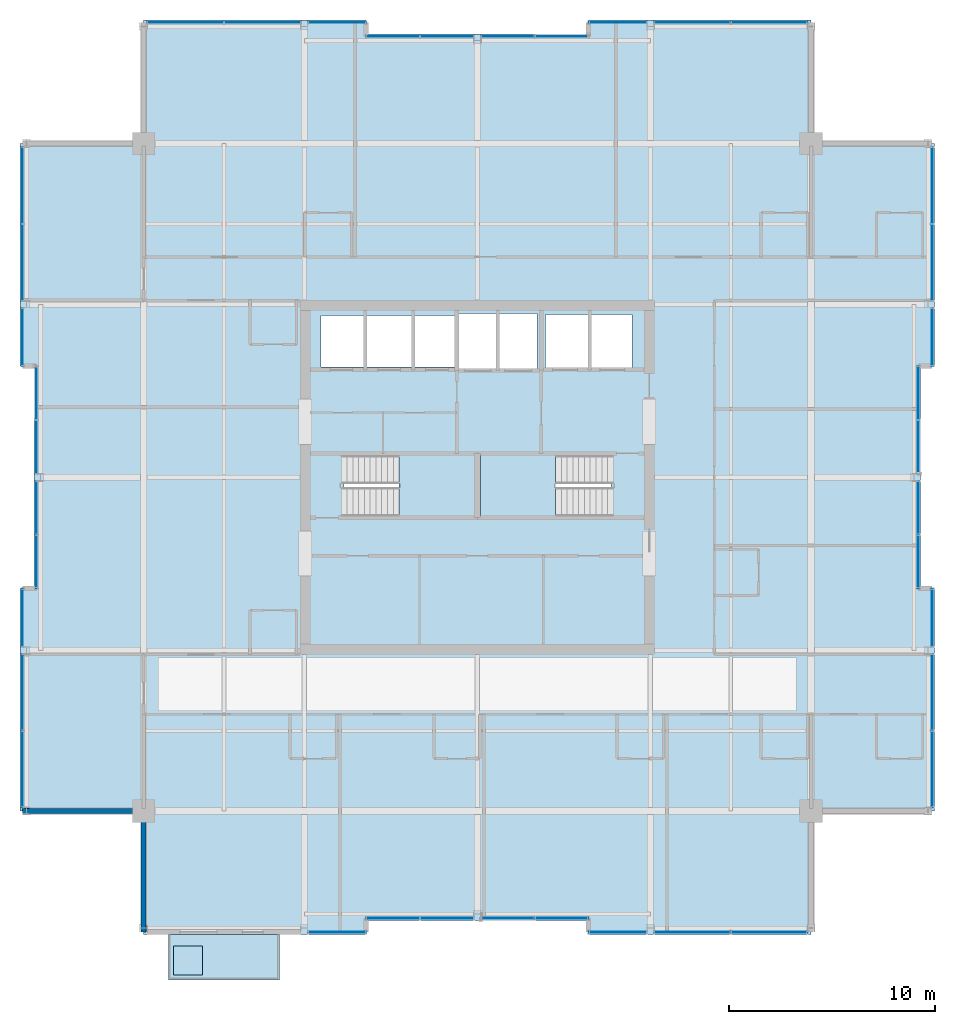
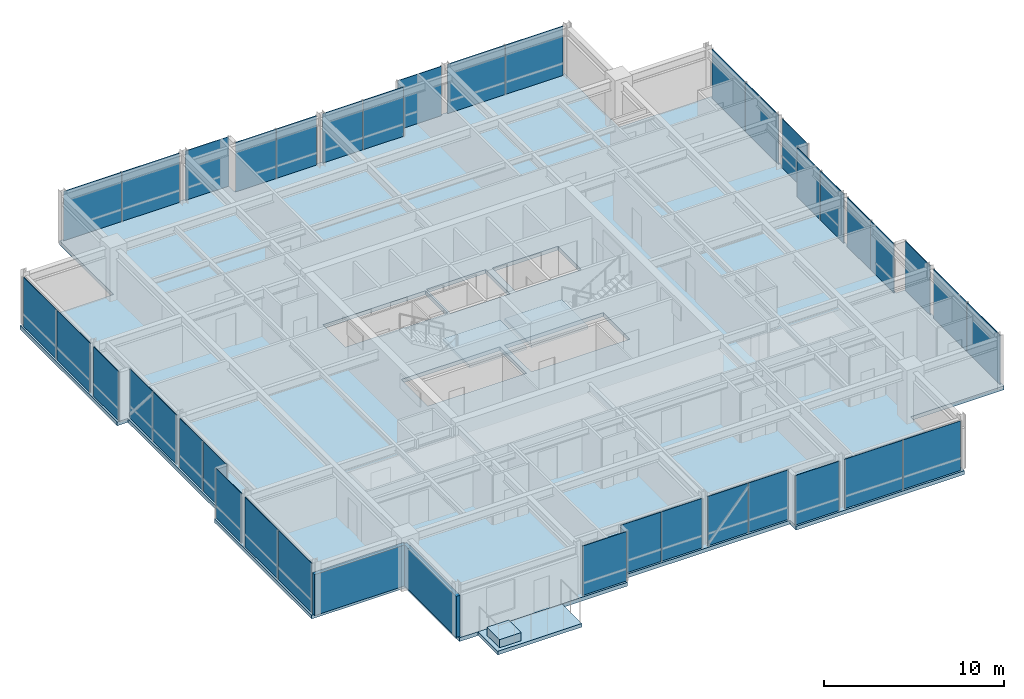
# One storey, part 27 of 34: 38 plates, 5 slabs, 2 walls, 25 elements without a shape of their own.
"""IFC4 building model written with IfcOpenShell, lengths in metres."""

from ifc_helpers import new_model, si_unit, direction, frame, frame_2d, origin, origin_2d, place, context, subcontext, project, spatial, polyline, rectangle, outline, extrude, material, layer, layer_set, type_object, element, aggregate, save


model = new_model("IFC4")

# Units and contexts
model_context = context("Model", 3, precision=1e-05, world=origin(), true_north=direction((0.0, 1.0)))
body_context = subcontext(model_context, "Body", "Model", "MODEL_VIEW")
ifc_project = project(units=[si_unit("LENGTHUNIT", "METRE"), si_unit("AREAUNIT", "SQUARE_METRE"), si_unit("VOLUMEUNIT", "CUBIC_METRE"), si_unit("PLANEANGLEUNIT", "RADIAN"), si_unit("MASSUNIT", "GRAM", prefix="KILO")], contexts=[model_context])

# Site, building, storey
site_placement = place(None, origin())
site = spatial("IfcSite", under=ifc_project, at=site_placement, CompositionType="ELEMENT")
building_placement = place(site_placement, origin())
building = spatial("IfcBuilding", under=site, at=building_placement, Name="Drelvath Grand Hotel", CompositionType="ELEMENT")
storey_placement = place(building_placement, frame((0.0, 0.0, 286.89990234375)))
storey = spatial("IfcBuildingStorey", under=building, at=storey_placement, Name="L75", CompositionType="ELEMENT", Elevation=286.89990234375)

# Slabs
ifc_material_1 = material(Name="Concrete f'c 40 MPa", Category="concrete")
ifc_layer_1 = layer(ifc_material_1, 0.239990234375)
ifc_layer_set_1 = layer_set([ifc_layer_1], Name="Concrete f'c 40 MPa")
slab_type_1 = type_object("IfcSlabType", Name="Cantilevered Tree Balcony Slab 240", PredefinedType="FLOOR", material=ifc_layer_set_1)
slab_1_placement = place(storey_placement, frame((0.0, 0.0, -0.239990234375)))
element("IfcSlab", 1, at=slab_1_placement, inside=storey, type_object=slab_type_1, Name="L75 Cantilevered Tree Balcony Slab 1", PredefinedType="FLOOR", context=body_context, shape_type="SweptSolid", body=[
    extrude(outline(polyline([(-15.0, 2.60009765625), (-9.60009765625, 2.60009765625), (-9.60009765625, 4.800048828125), (-15.0, 4.800048828125), (-15.0, 2.60009765625)])), origin(), (0.0, 0.0, 1.0), 0.239990234375),
])
ifc_layer_2 = layer(ifc_material_1, 0.260009765625)
ifc_layer_set_2 = layer_set([ifc_layer_2], Name="Concrete f'c 40 MPa")
slab_type_2 = type_object("IfcSlabType", Name="Composite RC Floor Slab 260", PredefinedType="FLOOR", material=ifc_layer_set_2)
slab_2_placement = place(storey_placement, frame((0.0, 0.0, -0.260009765625)))
element("IfcSlab", 2, at=slab_2_placement, inside=storey, type_object=slab_type_2, Name="L75 Structural Floor Slab", PredefinedType="FLOOR", context=body_context, shape_type="SweptSolid", body=[
    extrude(outline(polyline([(-16.199951171875, 4.800048828125), (-5.39990234375, 4.800048828125), (-5.39990234375, 5.47998046875), (5.39990234375, 5.47998046875), (5.39990234375, 4.800048828125), (16.199951171875, 4.800048828125), (16.199951171875, 10.800048828125), (22.199951171875, 10.800048828125), (22.199951171875, 21.60009765625), (21.52001953125, 21.60009765625), (21.52001953125, 32.39990234375), (22.199951171875, 32.39990234375), (22.199951171875, 43.199951171875), (16.199951171875, 43.199951171875), (16.199951171875, 49.199951171875), (5.39990234375, 49.199951171875), (5.39990234375, 48.52001953125), (-5.39990234375, 48.52001953125), (-5.39990234375, 49.199951171875), (-16.199951171875, 49.199951171875), (-16.199951171875, 43.199951171875), (-22.199951171875, 43.199951171875), (-22.199951171875, 32.39990234375), (-21.52001953125, 32.39990234375), (-21.52001953125, 21.60009765625), (-22.199951171875, 21.60009765625), (-22.199951171875, 10.800048828125), (-16.199951171875, 10.800048828125), (-16.199951171875, 4.800048828125)]), holes=[polyline([(-6.47998046875, 25.1201171875), (-6.47998046875, 28.080078125), (-0.14990234375, 28.080078125), (-0.14990234375, 25.1201171875), (-6.47998046875, 25.1201171875)]), polyline([(0.14990234375, 25.1201171875), (0.14990234375, 28.080078125), (6.47998046875, 28.080078125), (6.47998046875, 25.1201171875), (0.14990234375, 25.1201171875)]), polyline([(-7.60009765625, 32.35009765625), (-7.60009765625, 34.85009765625), (-1.02001953125, 34.85009765625), (-1.02001953125, 32.35009765625), (-7.60009765625, 32.35009765625)]), polyline([(-0.89990234375, 32.25), (-0.89990234375, 34.949951171875), (2.89990234375, 34.949951171875), (2.89990234375, 32.25), (-0.89990234375, 32.25)]), polyline([(3.300048828125, 32.300048828125), (3.300048828125, 34.89990234375), (7.5, 34.89990234375), (7.5, 32.300048828125), (3.300048828125, 32.300048828125)])]), origin(), (0.0, 0.0, 1.0), 0.260009765625),
])

# Stair, slab
ifc_material_2 = material(Name="Concrete C40/50", Category="concrete")
stair_type = type_object("IfcStairType", Name="Dogleg Exit Stair W1400-R165.9", PredefinedType="HALF_TURN_STAIR", material=ifc_material_2)
stair_1_placement = place(storey_placement, origin())
stair_1 = element("IfcStair", 3, at=stair_1_placement, inside=storey, type_object=stair_type, Name="L75 Core Exit Stair ST-1", PredefinedType="HALF_TURN_STAIR")
ifc_layer_3 = layer(ifc_material_2, 0.199951171875)
ifc_layer_set_3 = layer_set([ifc_layer_3], Name="Concrete C40/50")
slab_type_3 = type_object("IfcSlabType", Name="Concrete Stair Landing Slab 200", PredefinedType="LANDING", material=ifc_layer_set_3)
slab_3_placement = place(storey_placement, frame((0.0, 0.0, 1.625)))
slab_3 = element("IfcSlab", 4, at=slab_3_placement, type_object=slab_type_3, Name="ST-1 landing 1", PredefinedType="LANDING", context=body_context, shape_type="SweptSolid", body=[
    extrude(outline(polyline([(-3.800048828125, 25.1201171875), (-0.14990234375, 25.1201171875), (-0.14990234375, 28.080078125), (-3.800048828125, 28.080078125), (-3.800048828125, 25.1201171875)])), origin(), (0.0, 0.0, 1.0), 0.2001953125),
])
aggregate(stair_1, [slab_3])

stair_2_placement = place(storey_placement, origin())
stair_2 = element("IfcStair", 5, at=stair_2_placement, inside=storey, type_object=stair_type, Name="L75 Core Exit Stair ST-2", PredefinedType="HALF_TURN_STAIR")
slab_4_placement = place(storey_placement, frame((0.0, 0.0, 1.625)))
slab_4 = element("IfcSlab", 6, at=slab_4_placement, type_object=slab_type_3, Name="ST-2 landing 1", PredefinedType="LANDING", context=body_context, shape_type="SweptSolid", body=[
    extrude(outline(polyline([(3.800048828125, 28.080078125), (0.14990234375, 28.080078125), (0.14990234375, 25.1201171875), (3.800048828125, 25.1201171875), (3.800048828125, 28.080078125)])), origin(), (0.0, 0.0, 1.0), 0.2001953125),
])
aggregate(stair_2, [slab_4])

# Curtain wall, plates
ifc_material_3 = material(Name="Platinum-Mist Anodised Aluminium Frame", Category="aluminium")
ifc_layer_4 = layer(ifc_material_3, 0.199951171875)
ifc_layer_set_4 = layer_set([ifc_layer_4], Name="Platinum-Mist Anodised Aluminium Frame")
curtain_wall_type = type_object("IfcCurtainWallType", Name="Stick Curtain Wall CW-05 Platinum Mist High-Rise", PredefinedType="NOTDEFINED", material=ifc_layer_set_4)
curtain_wall_1_placement = place(storey_placement, origin())
curtain_wall_1 = element("IfcCurtainWall", 7, at=curtain_wall_1_placement, inside=storey, type_object=curtain_wall_type, Name="L75 CW-05 Curtain Wall CW05-L75-WS1", PredefinedType="NOTDEFINED")
ifc_material_4 = material(Name="Low-E Triple Silver High-Altitude Glass", Category="glass")
ifc_layer_5 = layer(ifc_material_4, 0.035888671875)
ifc_layer_set_5 = layer_set([ifc_layer_5], Name="Low-E Triple Silver High-Altitude Glass")
plate_type = type_object("IfcPlateType", Name="Curtain Wall Vision Panel CW-05 36mm", PredefinedType="CURTAIN_PANEL", material=ifc_layer_set_5)
plate_1_placement = place(storey_placement, frame((-22.080078125, 12.835205078125, 0.02001953125), z_axis=(0.0, 0.0, 1.0), x_axis=(0.0, 1.0, 0.0)))
plate_1 = element("IfcPlate", 8, at=plate_1_placement, type_object=plate_type, Name="CW05-L75-WS1 Glazed Panel 1", PredefinedType="CURTAIN_PANEL", context=body_context, shape_type="SweptSolid", body=[
    extrude(rectangle(XDim=3.68994140625, YDim=0.035888671875, at=origin_2d()), origin(), (0.0, 0.0, 1.0), 3.35009765625),
])
plate_2_placement = place(storey_placement, frame((-22.080078125, 16.56494140625, 0.02001953125), z_axis=(0.0, 0.0, 1.0), x_axis=(0.0, 1.0, 0.0)))
plate_2 = element("IfcPlate", 9, at=plate_2_placement, type_object=plate_type, Name="CW05-L75-WS1 Glazed Panel 2", PredefinedType="CURTAIN_PANEL", context=body_context, shape_type="SweptSolid", body=[
    extrude(rectangle(XDim=3.68994140625, YDim=0.035888671875, at=origin_2d()), origin(), (0.0, 0.0, 1.0), 3.35009765625),
])
aggregate(curtain_wall_1, [plate_1, plate_2])

# Curtain wall, plate
curtain_wall_2_placement = place(storey_placement, origin())
curtain_wall_2 = element("IfcCurtainWall", 10, at=curtain_wall_2_placement, inside=storey, type_object=curtain_wall_type, Name="L75 CW-05 Curtain Wall CW05-L75-WS2", PredefinedType="NOTDEFINED")
plate_3_placement = place(storey_placement, frame((-22.080078125, 20.18505859375, 0.02001953125), z_axis=(0.0, 0.0, 1.0), x_axis=(0.0, 1.0, 0.0)))
plate_3 = element("IfcPlate", 11, at=plate_3_placement, type_object=plate_type, Name="CW05-L75-WS2 Glazed Panel 1", PredefinedType="CURTAIN_PANEL", context=body_context, shape_type="SweptSolid", body=[
    extrude(rectangle(XDim=2.789794921875, YDim=0.035888671875, at=origin_2d()), origin(), (0.0, 0.0, 1.0), 3.35009765625),
])
aggregate(curtain_wall_2, [plate_3])

# Curtain wall, plates
curtain_wall_3_placement = place(storey_placement, origin())
curtain_wall_3 = element("IfcCurtainWall", 12, at=curtain_wall_3_placement, inside=storey, type_object=curtain_wall_type, Name="L75 CW-05 Curtain Wall CW05-L75-WM1", PredefinedType="NOTDEFINED")
plate_4_placement = place(storey_placement, frame((-21.39990234375, 22.907470703125, 0.02001953125), z_axis=(0.0, 0.0, 1.0), x_axis=(0.0, 1.0, 0.0)))
plate_4 = element("IfcPlate", 13, at=plate_4_placement, type_object=plate_type, Name="CW05-L75-WM1 Glazed Panel 1", PredefinedType="CURTAIN_PANEL", context=body_context, shape_type="SweptSolid", body=[
    extrude(rectangle(XDim=2.574951171875, YDim=0.035888671875, at=origin_2d()), origin(), (0.0, 0.0, 1.0), 3.35009765625),
])
plate_5_placement = place(storey_placement, frame((-21.39990234375, 25.5224609375, 0.02001953125), z_axis=(0.0, 0.0, 1.0), x_axis=(0.0, 1.0, 0.0)))
plate_5 = element("IfcPlate", 14, at=plate_5_placement, type_object=plate_type, Name="CW05-L75-WM1 Glazed Panel 2", PredefinedType="CURTAIN_PANEL", context=body_context, shape_type="SweptSolid", body=[
    extrude(rectangle(XDim=2.574951171875, YDim=0.035888671875, at=origin_2d()), origin(), (0.0, 0.0, 1.0), 3.35009765625),
])
aggregate(curtain_wall_3, [plate_4, plate_5])

curtain_wall_4_placement = place(storey_placement, origin())
curtain_wall_4 = element("IfcCurtainWall", 15, at=curtain_wall_4_placement, inside=storey, type_object=curtain_wall_type, Name="L75 CW-05 Curtain Wall CW05-L75-WM2", PredefinedType="NOTDEFINED")
plate_6_placement = place(storey_placement, frame((-21.39990234375, 28.4775390625, 0.02001953125), z_axis=(0.0, 0.0, 1.0), x_axis=(0.0, 1.0, 0.0)))
plate_6 = element("IfcPlate", 16, at=plate_6_placement, type_object=plate_type, Name="CW05-L75-WM2 Glazed Panel 1", PredefinedType="CURTAIN_PANEL", context=body_context, shape_type="SweptSolid", body=[
    extrude(rectangle(XDim=2.574951171875, YDim=0.035888671875, at=origin_2d()), origin(), (0.0, 0.0, 1.0), 3.35009765625),
])
plate_7_placement = place(storey_placement, frame((-21.39990234375, 31.092529296875, 0.02001953125), z_axis=(0.0, 0.0, 1.0), x_axis=(0.0, 1.0, 0.0)))
plate_7 = element("IfcPlate", 17, at=plate_7_placement, type_object=plate_type, Name="CW05-L75-WM2 Glazed Panel 2", PredefinedType="CURTAIN_PANEL", context=body_context, shape_type="SweptSolid", body=[
    extrude(rectangle(XDim=2.574951171875, YDim=0.035888671875, at=origin_2d()), origin(), (0.0, 0.0, 1.0), 3.35009765625),
])
aggregate(curtain_wall_4, [plate_6, plate_7])

# Curtain wall, plate
curtain_wall_5_placement = place(storey_placement, origin())
curtain_wall_5 = element("IfcCurtainWall", 18, at=curtain_wall_5_placement, inside=storey, type_object=curtain_wall_type, Name="L75 CW-05 Curtain Wall CW05-L75-WN1", PredefinedType="NOTDEFINED")
plate_8_placement = place(storey_placement, frame((-22.080078125, 33.81494140625, 0.02001953125), z_axis=(0.0, 0.0, 1.0), x_axis=(0.0, 1.0, 0.0)))
plate_8 = element("IfcPlate", 19, at=plate_8_placement, type_object=plate_type, Name="CW05-L75-WN1 Glazed Panel 1", PredefinedType="CURTAIN_PANEL", context=body_context, shape_type="SweptSolid", body=[
    extrude(rectangle(XDim=2.7900390625, YDim=0.035888671875, at=origin_2d()), origin(), (0.0, 0.0, 1.0), 3.35009765625),
])
aggregate(curtain_wall_5, [plate_8])

# Curtain wall, plates
curtain_wall_6_placement = place(storey_placement, origin())
curtain_wall_6 = element("IfcCurtainWall", 20, at=curtain_wall_6_placement, inside=storey, type_object=curtain_wall_type, Name="L75 CW-05 Curtain Wall CW05-L75-WN2", PredefinedType="NOTDEFINED")
plate_9_placement = place(storey_placement, frame((-22.080078125, 37.43505859375, 0.02001953125), z_axis=(0.0, 0.0, 1.0), x_axis=(0.0, 1.0, 0.0)))
plate_9 = element("IfcPlate", 21, at=plate_9_placement, type_object=plate_type, Name="CW05-L75-WN2 Glazed Panel 1", PredefinedType="CURTAIN_PANEL", context=body_context, shape_type="SweptSolid", body=[
    extrude(rectangle(XDim=3.68994140625, YDim=0.035888671875, at=origin_2d()), origin(), (0.0, 0.0, 1.0), 3.35009765625),
])
plate_10_placement = place(storey_placement, frame((-22.080078125, 41.1650390625, 0.02001953125), z_axis=(0.0, 0.0, 1.0), x_axis=(0.0, 1.0, 0.0)))
plate_10 = element("IfcPlate", 22, at=plate_10_placement, type_object=plate_type, Name="CW05-L75-WN2 Glazed Panel 2", PredefinedType="CURTAIN_PANEL", context=body_context, shape_type="SweptSolid", body=[
    extrude(rectangle(XDim=3.68994140625, YDim=0.035888671875, at=origin_2d()), origin(), (0.0, 0.0, 1.0), 3.35009765625),
])
aggregate(curtain_wall_6, [plate_9, plate_10])

# Curtain wall, plate
curtain_wall_7_placement = place(storey_placement, origin())
curtain_wall_7 = element("IfcCurtainWall", 23, at=curtain_wall_7_placement, inside=storey, type_object=curtain_wall_type, Name="L75 CW-05 Curtain Wall CW05-L75-EN1", PredefinedType="NOTDEFINED")
plate_11_placement = place(storey_placement, frame((22.080078125, 33.81494140625, 0.02001953125), z_axis=(0.0, 0.0, 1.0), x_axis=(0.0, -1.0, 0.0)))
plate_11 = element("IfcPlate", 24, at=plate_11_placement, type_object=plate_type, Name="CW05-L75-EN1 Glazed Panel 1", PredefinedType="CURTAIN_PANEL", context=body_context, shape_type="SweptSolid", body=[
    extrude(rectangle(XDim=2.7900390625, YDim=0.035888671875, at=origin_2d()), origin(), (0.0, 0.0, 1.0), 3.35009765625),
])
aggregate(curtain_wall_7, [plate_11])

# Curtain wall, plates
curtain_wall_8_placement = place(storey_placement, origin())
curtain_wall_8 = element("IfcCurtainWall", 25, at=curtain_wall_8_placement, inside=storey, type_object=curtain_wall_type, Name="L75 CW-05 Curtain Wall CW05-L75-EN2", PredefinedType="NOTDEFINED")
plate_12_placement = place(storey_placement, frame((22.080078125, 41.1650390625, 0.02001953125), z_axis=(0.0, 0.0, 1.0), x_axis=(0.0, -1.0, 0.0)))
plate_12 = element("IfcPlate", 26, at=plate_12_placement, type_object=plate_type, Name="CW05-L75-EN2 Glazed Panel 1", PredefinedType="CURTAIN_PANEL", context=body_context, shape_type="SweptSolid", body=[
    extrude(rectangle(XDim=3.68994140625, YDim=0.035888671875, at=origin_2d()), origin(), (0.0, 0.0, 1.0), 3.35009765625),
])
plate_13_placement = place(storey_placement, frame((22.080078125, 37.43505859375, 0.02001953125), z_axis=(0.0, 0.0, 1.0), x_axis=(0.0, -1.0, 0.0)))
plate_13 = element("IfcPlate", 27, at=plate_13_placement, type_object=plate_type, Name="CW05-L75-EN2 Glazed Panel 2", PredefinedType="CURTAIN_PANEL", context=body_context, shape_type="SweptSolid", body=[
    extrude(rectangle(XDim=3.68994140625, YDim=0.035888671875, at=origin_2d()), origin(), (0.0, 0.0, 1.0), 3.35009765625),
])
aggregate(curtain_wall_8, [plate_12, plate_13])

curtain_wall_9_placement = place(storey_placement, origin())
curtain_wall_9 = element("IfcCurtainWall", 28, at=curtain_wall_9_placement, inside=storey, type_object=curtain_wall_type, Name="L75 CW-05 Curtain Wall CW05-L75-EM1", PredefinedType="NOTDEFINED")
plate_14_placement = place(storey_placement, frame((21.39990234375, 25.5224609375, 0.02001953125), z_axis=(0.0, 0.0, 1.0), x_axis=(0.0, -1.0, 0.0)))
plate_14 = element("IfcPlate", 29, at=plate_14_placement, type_object=plate_type, Name="CW05-L75-EM1 Glazed Panel 1", PredefinedType="CURTAIN_PANEL", context=body_context, shape_type="SweptSolid", body=[
    extrude(rectangle(XDim=2.574951171875, YDim=0.035888671875, at=origin_2d()), origin(), (0.0, 0.0, 1.0), 3.35009765625),
])
plate_15_placement = place(storey_placement, frame((21.39990234375, 22.907470703125, 0.02001953125), z_axis=(0.0, 0.0, 1.0), x_axis=(0.0, -1.0, 0.0)))
plate_15 = element("IfcPlate", 30, at=plate_15_placement, type_object=plate_type, Name="CW05-L75-EM1 Glazed Panel 2", PredefinedType="CURTAIN_PANEL", context=body_context, shape_type="SweptSolid", body=[
    extrude(rectangle(XDim=2.574951171875, YDim=0.035888671875, at=origin_2d()), origin(), (0.0, 0.0, 1.0), 3.35009765625),
])
aggregate(curtain_wall_9, [plate_14, plate_15])

curtain_wall_10_placement = place(storey_placement, origin())
curtain_wall_10 = element("IfcCurtainWall", 31, at=curtain_wall_10_placement, inside=storey, type_object=curtain_wall_type, Name="L75 CW-05 Curtain Wall CW05-L75-EM2", PredefinedType="NOTDEFINED")
plate_16_placement = place(storey_placement, frame((21.39990234375, 31.092529296875, 0.02001953125), z_axis=(0.0, 0.0, 1.0), x_axis=(0.0, -1.0, 0.0)))
plate_16 = element("IfcPlate", 32, at=plate_16_placement, type_object=plate_type, Name="CW05-L75-EM2 Glazed Panel 1", PredefinedType="CURTAIN_PANEL", context=body_context, shape_type="SweptSolid", body=[
    extrude(rectangle(XDim=2.574951171875, YDim=0.035888671875, at=origin_2d()), origin(), (0.0, 0.0, 1.0), 3.35009765625),
])
plate_17_placement = place(storey_placement, frame((21.39990234375, 28.4775390625, 0.02001953125), z_axis=(0.0, 0.0, 1.0), x_axis=(0.0, -1.0, 0.0)))
plate_17 = element("IfcPlate", 33, at=plate_17_placement, type_object=plate_type, Name="CW05-L75-EM2 Glazed Panel 2", PredefinedType="CURTAIN_PANEL", context=body_context, shape_type="SweptSolid", body=[
    extrude(rectangle(XDim=2.574951171875, YDim=0.035888671875, at=origin_2d()), origin(), (0.0, 0.0, 1.0), 3.35009765625),
])
aggregate(curtain_wall_10, [plate_16, plate_17])

curtain_wall_11_placement = place(storey_placement, origin())
curtain_wall_11 = element("IfcCurtainWall", 34, at=curtain_wall_11_placement, inside=storey, type_object=curtain_wall_type, Name="L75 CW-05 Curtain Wall CW05-L75-ES1", PredefinedType="NOTDEFINED")
plate_18_placement = place(storey_placement, frame((22.080078125, 16.56494140625, 0.02001953125), z_axis=(0.0, 0.0, 1.0), x_axis=(0.0, -1.0, 0.0)))
plate_18 = element("IfcPlate", 35, at=plate_18_placement, type_object=plate_type, Name="CW05-L75-ES1 Glazed Panel 1", PredefinedType="CURTAIN_PANEL", context=body_context, shape_type="SweptSolid", body=[
    extrude(rectangle(XDim=3.68994140625, YDim=0.035888671875, at=origin_2d()), origin(), (0.0, 0.0, 1.0), 3.35009765625),
])
plate_19_placement = place(storey_placement, frame((22.080078125, 12.835205078125, 0.02001953125), z_axis=(0.0, 0.0, 1.0), x_axis=(0.0, -1.0, 0.0)))
plate_19 = element("IfcPlate", 36, at=plate_19_placement, type_object=plate_type, Name="CW05-L75-ES1 Glazed Panel 2", PredefinedType="CURTAIN_PANEL", context=body_context, shape_type="SweptSolid", body=[
    extrude(rectangle(XDim=3.68994140625, YDim=0.035888671875, at=origin_2d()), origin(), (0.0, 0.0, 1.0), 3.35009765625),
])
aggregate(curtain_wall_11, [plate_18, plate_19])

# Curtain wall, plate
curtain_wall_12_placement = place(storey_placement, origin())
curtain_wall_12 = element("IfcCurtainWall", 37, at=curtain_wall_12_placement, inside=storey, type_object=curtain_wall_type, Name="L75 CW-05 Curtain Wall CW05-L75-ES2", PredefinedType="NOTDEFINED")
plate_20_placement = place(storey_placement, frame((22.080078125, 20.18505859375, 0.02001953125), z_axis=(0.0, 0.0, 1.0), x_axis=(0.0, -1.0, 0.0)))
plate_20 = element("IfcPlate", 38, at=plate_20_placement, type_object=plate_type, Name="CW05-L75-ES2 Glazed Panel 1", PredefinedType="CURTAIN_PANEL", context=body_context, shape_type="SweptSolid", body=[
    extrude(rectangle(XDim=2.789794921875, YDim=0.035888671875, at=origin_2d()), origin(), (0.0, 0.0, 1.0), 3.35009765625),
])
aggregate(curtain_wall_12, [plate_20])

# Curtain wall, plates
curtain_wall_13_placement = place(storey_placement, origin())
curtain_wall_13 = element("IfcCurtainWall", 39, at=curtain_wall_13_placement, inside=storey, type_object=curtain_wall_type, Name="L75 CW-05 Curtain Wall CW05-L75-NW1", PredefinedType="NOTDEFINED")
plate_21_placement = place(storey_placement, frame((-14.1650390625, 49.080078125, 0.02001953125), z_axis=(0.0, 0.0, 1.0), x_axis=(1.0, 0.0, 0.0)))
plate_21 = element("IfcPlate", 40, at=plate_21_placement, type_object=plate_type, Name="CW05-L75-NW1 Glazed Panel 1", PredefinedType="CURTAIN_PANEL", context=body_context, shape_type="SweptSolid", body=[
    extrude(rectangle(XDim=3.68994140625, YDim=0.035888671875, at=origin_2d()), origin(), (0.0, 0.0, 1.0), 3.35009765625),
])
plate_22_placement = place(storey_placement, frame((-10.43505859375, 49.080078125, 0.02001953125), z_axis=(0.0, 0.0, 1.0), x_axis=(1.0, 0.0, 0.0)))
plate_22 = element("IfcPlate", 41, at=plate_22_placement, type_object=plate_type, Name="CW05-L75-NW1 Glazed Panel 2", PredefinedType="CURTAIN_PANEL", context=body_context, shape_type="SweptSolid", body=[
    extrude(rectangle(XDim=3.68994140625, YDim=0.035888671875, at=origin_2d()), origin(), (0.0, 0.0, 1.0), 3.35009765625),
])
aggregate(curtain_wall_13, [plate_21, plate_22])

# Curtain wall, plate
curtain_wall_14_placement = place(storey_placement, origin())
curtain_wall_14 = element("IfcCurtainWall", 42, at=curtain_wall_14_placement, inside=storey, type_object=curtain_wall_type, Name="L75 CW-05 Curtain Wall CW05-L75-NW2", PredefinedType="NOTDEFINED")
plate_23_placement = place(storey_placement, frame((-6.81494140625, 49.080078125, 0.02001953125), z_axis=(0.0, 0.0, 1.0), x_axis=(1.0, 0.0, 0.0)))
plate_23 = element("IfcPlate", 43, at=plate_23_placement, type_object=plate_type, Name="CW05-L75-NW2 Glazed Panel 1", PredefinedType="CURTAIN_PANEL", context=body_context, shape_type="SweptSolid", body=[
    extrude(rectangle(XDim=2.789794921875, YDim=0.035888671875, at=origin_2d()), origin(), (0.0, 0.0, 1.0), 3.35009765625),
])
aggregate(curtain_wall_14, [plate_23])

# Curtain wall, plates
curtain_wall_15_placement = place(storey_placement, origin())
curtain_wall_15 = element("IfcCurtainWall", 44, at=curtain_wall_15_placement, inside=storey, type_object=curtain_wall_type, Name="L75 CW-05 Curtain Wall CW05-L75-NM1", PredefinedType="NOTDEFINED")
plate_24_placement = place(storey_placement, frame((-4.092529296875, 48.39990234375, 0.02001953125), z_axis=(0.0, 0.0, 1.0), x_axis=(1.0, 0.0, 0.0)))
plate_24 = element("IfcPlate", 45, at=plate_24_placement, type_object=plate_type, Name="CW05-L75-NM1 Glazed Panel 1", PredefinedType="CURTAIN_PANEL", context=body_context, shape_type="SweptSolid", body=[
    extrude(rectangle(XDim=2.574951171875, YDim=0.035888671875, at=origin_2d()), origin(), (0.0, 0.0, 1.0), 3.35009765625),
])
plate_25_placement = place(storey_placement, frame((-1.4775390625, 48.39990234375, 0.02001953125), z_axis=(0.0, 0.0, 1.0), x_axis=(1.0, 0.0, 0.0)))
plate_25 = element("IfcPlate", 46, at=plate_25_placement, type_object=plate_type, Name="CW05-L75-NM1 Glazed Panel 2", PredefinedType="CURTAIN_PANEL", context=body_context, shape_type="SweptSolid", body=[
    extrude(rectangle(XDim=2.574951171875, YDim=0.035888671875, at=origin_2d()), origin(), (0.0, 0.0, 1.0), 3.35009765625),
])
aggregate(curtain_wall_15, [plate_24, plate_25])

curtain_wall_16_placement = place(storey_placement, origin())
curtain_wall_16 = element("IfcCurtainWall", 47, at=curtain_wall_16_placement, inside=storey, type_object=curtain_wall_type, Name="L75 CW-05 Curtain Wall CW05-L75-NM2", PredefinedType="NOTDEFINED")
plate_26_placement = place(storey_placement, frame((1.4775390625, 48.39990234375, 0.02001953125), z_axis=(0.0, 0.0, 1.0), x_axis=(1.0, 0.0, 0.0)))
plate_26 = element("IfcPlate", 48, at=plate_26_placement, type_object=plate_type, Name="CW05-L75-NM2 Glazed Panel 1", PredefinedType="CURTAIN_PANEL", context=body_context, shape_type="SweptSolid", body=[
    extrude(rectangle(XDim=2.574951171875, YDim=0.035888671875, at=origin_2d()), origin(), (0.0, 0.0, 1.0), 3.35009765625),
])
plate_27_placement = place(storey_placement, frame((4.092529296875, 48.39990234375, 0.02001953125), z_axis=(0.0, 0.0, 1.0), x_axis=(1.0, 0.0, 0.0)))
plate_27 = element("IfcPlate", 49, at=plate_27_placement, type_object=plate_type, Name="CW05-L75-NM2 Glazed Panel 2", PredefinedType="CURTAIN_PANEL", context=body_context, shape_type="SweptSolid", body=[
    extrude(rectangle(XDim=2.574951171875, YDim=0.035888671875, at=origin_2d()), origin(), (0.0, 0.0, 1.0), 3.35009765625),
])
aggregate(curtain_wall_16, [plate_26, plate_27])

# Curtain wall, plate
curtain_wall_17_placement = place(storey_placement, origin())
curtain_wall_17 = element("IfcCurtainWall", 50, at=curtain_wall_17_placement, inside=storey, type_object=curtain_wall_type, Name="L75 CW-05 Curtain Wall CW05-L75-NE1", PredefinedType="NOTDEFINED")
plate_28_placement = place(storey_placement, frame((6.81494140625, 49.080078125, 0.02001953125), z_axis=(0.0, 0.0, 1.0), x_axis=(1.0, 0.0, 0.0)))
plate_28 = element("IfcPlate", 51, at=plate_28_placement, type_object=plate_type, Name="CW05-L75-NE1 Glazed Panel 1", PredefinedType="CURTAIN_PANEL", context=body_context, shape_type="SweptSolid", body=[
    extrude(rectangle(XDim=2.789794921875, YDim=0.035888671875, at=origin_2d()), origin(), (0.0, 0.0, 1.0), 3.35009765625),
])
aggregate(curtain_wall_17, [plate_28])

# Curtain wall, plates
curtain_wall_18_placement = place(storey_placement, origin())
curtain_wall_18 = element("IfcCurtainWall", 52, at=curtain_wall_18_placement, inside=storey, type_object=curtain_wall_type, Name="L75 CW-05 Curtain Wall CW05-L75-NE2", PredefinedType="NOTDEFINED")
plate_29_placement = place(storey_placement, frame((10.43505859375, 49.080078125, 0.02001953125), z_axis=(0.0, 0.0, 1.0), x_axis=(1.0, 0.0, 0.0)))
plate_29 = element("IfcPlate", 53, at=plate_29_placement, type_object=plate_type, Name="CW05-L75-NE2 Glazed Panel 1", PredefinedType="CURTAIN_PANEL", context=body_context, shape_type="SweptSolid", body=[
    extrude(rectangle(XDim=3.68994140625, YDim=0.035888671875, at=origin_2d()), origin(), (0.0, 0.0, 1.0), 3.35009765625),
])
plate_30_placement = place(storey_placement, frame((14.1650390625, 49.080078125, 0.02001953125), z_axis=(0.0, 0.0, 1.0), x_axis=(1.0, 0.0, 0.0)))
plate_30 = element("IfcPlate", 54, at=plate_30_placement, type_object=plate_type, Name="CW05-L75-NE2 Glazed Panel 2", PredefinedType="CURTAIN_PANEL", context=body_context, shape_type="SweptSolid", body=[
    extrude(rectangle(XDim=3.68994140625, YDim=0.035888671875, at=origin_2d()), origin(), (0.0, 0.0, 1.0), 3.35009765625),
])
aggregate(curtain_wall_18, [plate_29, plate_30])

# Curtain wall, plate
curtain_wall_19_placement = place(storey_placement, origin())
curtain_wall_19 = element("IfcCurtainWall", 55, at=curtain_wall_19_placement, inside=storey, type_object=curtain_wall_type, Name="L75 CW-05 Curtain Wall CW05-L75-SE1", PredefinedType="NOTDEFINED")
plate_31_placement = place(storey_placement, frame((6.81494140625, 4.919921875, 0.02001953125), z_axis=(0.0, 0.0, 1.0), x_axis=(-1.0, 0.0, 0.0)))
plate_31 = element("IfcPlate", 56, at=plate_31_placement, type_object=plate_type, Name="CW05-L75-SE1 Glazed Panel 1", PredefinedType="CURTAIN_PANEL", context=body_context, shape_type="SweptSolid", body=[
    extrude(rectangle(XDim=2.789794921875, YDim=0.035888671875, at=origin_2d()), origin(), (0.0, 0.0, 1.0), 3.35009765625),
])
aggregate(curtain_wall_19, [plate_31])

# Curtain wall, plates
curtain_wall_20_placement = place(storey_placement, origin())
curtain_wall_20 = element("IfcCurtainWall", 57, at=curtain_wall_20_placement, inside=storey, type_object=curtain_wall_type, Name="L75 CW-05 Curtain Wall CW05-L75-SE2", PredefinedType="NOTDEFINED")
plate_32_placement = place(storey_placement, frame((14.1650390625, 4.919921875, 0.02001953125), z_axis=(0.0, 0.0, 1.0), x_axis=(-1.0, 0.0, 0.0)))
plate_32 = element("IfcPlate", 58, at=plate_32_placement, type_object=plate_type, Name="CW05-L75-SE2 Glazed Panel 1", PredefinedType="CURTAIN_PANEL", context=body_context, shape_type="SweptSolid", body=[
    extrude(rectangle(XDim=3.68994140625, YDim=0.035888671875, at=origin_2d()), origin(), (0.0, 0.0, 1.0), 3.35009765625),
])
plate_33_placement = place(storey_placement, frame((10.43505859375, 4.919921875, 0.02001953125), z_axis=(0.0, 0.0, 1.0), x_axis=(-1.0, 0.0, 0.0)))
plate_33 = element("IfcPlate", 59, at=plate_33_placement, type_object=plate_type, Name="CW05-L75-SE2 Glazed Panel 2", PredefinedType="CURTAIN_PANEL", context=body_context, shape_type="SweptSolid", body=[
    extrude(rectangle(XDim=3.68994140625, YDim=0.035888671875, at=origin_2d()), origin(), (0.0, 0.0, 1.0), 3.35009765625),
])
aggregate(curtain_wall_20, [plate_32, plate_33])

curtain_wall_21_placement = place(storey_placement, origin())
curtain_wall_21 = element("IfcCurtainWall", 60, at=curtain_wall_21_placement, inside=storey, type_object=curtain_wall_type, Name="L75 CW-05 Curtain Wall CW05-L75-SM1", PredefinedType="NOTDEFINED")
plate_34_placement = place(storey_placement, frame((-1.4775390625, 5.60009765625, 0.02001953125), z_axis=(0.0, 0.0, 1.0), x_axis=(-1.0, 0.0, 0.0)))
plate_34 = element("IfcPlate", 61, at=plate_34_placement, type_object=plate_type, Name="CW05-L75-SM1 Glazed Panel 1", PredefinedType="CURTAIN_PANEL", context=body_context, shape_type="SweptSolid", body=[
    extrude(rectangle(XDim=2.574951171875, YDim=0.035888671875, at=origin_2d()), origin(), (0.0, 0.0, 1.0), 3.35009765625),
])
plate_35_placement = place(storey_placement, frame((-4.092529296875, 5.60009765625, 0.02001953125), z_axis=(0.0, 0.0, 1.0), x_axis=(-1.0, 0.0, 0.0)))
plate_35 = element("IfcPlate", 62, at=plate_35_placement, type_object=plate_type, Name="CW05-L75-SM1 Glazed Panel 2", PredefinedType="CURTAIN_PANEL", context=body_context, shape_type="SweptSolid", body=[
    extrude(rectangle(XDim=2.574951171875, YDim=0.035888671875, at=origin_2d()), origin(), (0.0, 0.0, 1.0), 3.35009765625),
])
aggregate(curtain_wall_21, [plate_34, plate_35])

curtain_wall_22_placement = place(storey_placement, origin())
curtain_wall_22 = element("IfcCurtainWall", 63, at=curtain_wall_22_placement, inside=storey, type_object=curtain_wall_type, Name="L75 CW-05 Curtain Wall CW05-L75-SM2", PredefinedType="NOTDEFINED")
plate_36_placement = place(storey_placement, frame((4.092529296875, 5.60009765625, 0.02001953125), z_axis=(0.0, 0.0, 1.0), x_axis=(-1.0, 0.0, 0.0)))
plate_36 = element("IfcPlate", 64, at=plate_36_placement, type_object=plate_type, Name="CW05-L75-SM2 Glazed Panel 1", PredefinedType="CURTAIN_PANEL", context=body_context, shape_type="SweptSolid", body=[
    extrude(rectangle(XDim=2.574951171875, YDim=0.035888671875, at=origin_2d()), origin(), (0.0, 0.0, 1.0), 3.35009765625),
])
plate_37_placement = place(storey_placement, frame((1.4775390625, 5.60009765625, 0.02001953125), z_axis=(0.0, 0.0, 1.0), x_axis=(-1.0, 0.0, 0.0)))
plate_37 = element("IfcPlate", 65, at=plate_37_placement, type_object=plate_type, Name="CW05-L75-SM2 Glazed Panel 2", PredefinedType="CURTAIN_PANEL", context=body_context, shape_type="SweptSolid", body=[
    extrude(rectangle(XDim=2.574951171875, YDim=0.035888671875, at=origin_2d()), origin(), (0.0, 0.0, 1.0), 3.35009765625),
])
aggregate(curtain_wall_22, [plate_36, plate_37])

# Curtain wall, plate
curtain_wall_23_placement = place(storey_placement, origin())
curtain_wall_23 = element("IfcCurtainWall", 66, at=curtain_wall_23_placement, inside=storey, type_object=curtain_wall_type, Name="L75 CW-05 Curtain Wall CW05-L75-SW2", PredefinedType="NOTDEFINED")
plate_38_placement = place(storey_placement, frame((-6.81494140625, 4.919921875, 0.02001953125), z_axis=(0.0, 0.0, 1.0), x_axis=(-1.0, 0.0, 0.0)))
plate_38 = element("IfcPlate", 67, at=plate_38_placement, type_object=plate_type, Name="CW05-L75-SW2 Glazed Panel 1", PredefinedType="CURTAIN_PANEL", context=body_context, shape_type="SweptSolid", body=[
    extrude(rectangle(XDim=2.789794921875, YDim=0.035888671875, at=origin_2d()), origin(), (0.0, 0.0, 1.0), 3.35009765625),
])
aggregate(curtain_wall_23, [plate_38])

# Slab
ifc_layer_6 = layer(ifc_material_1, 0.550048828125)
ifc_layer_set_6 = layer_set([ifc_layer_6], Name="Concrete f'c 40 MPa")
slab_type_4 = type_object("IfcSlabType", Name="Structural Tree Planter Box 550", PredefinedType="USERDEFINED", material=ifc_layer_set_6)
slab_5_placement = place(storey_placement, origin())
element("IfcSlab", 68, at=slab_5_placement, inside=storey, type_object=slab_type_4, Name="L75 Tree Balcony Structural Planter 1", ObjectType="PLANTER", PredefinedType="USERDEFINED", context=body_context, shape_type="SweptSolid", body=[
    extrude(outline(polyline([(-14.75, 2.85009765625), (-13.35009765625, 2.85009765625), (-13.35009765625, 4.25), (-14.75, 4.25), (-14.75, 2.85009765625)])), origin(), (0.0, 0.0, 1.0), 0.550048828125),
])

# Walls
ifc_material_5 = material(Name="Pale-Metal Insulated Aluminium Spandrel Assembly", Category="aluminium")
ifc_layer_7 = layer(ifc_material_5, 0.239990234375)
ifc_layer_set_7 = layer_set([ifc_layer_7], Name="Pale-Metal Insulated Aluminium Spandrel Assembly")
wall_type = type_object("IfcWallType", Name="Tower Insulated Metal Spandrel Closure Wall 240", PredefinedType="STANDARD", material=ifc_layer_set_7)
for number, where, z_axis, x_axis, name in (
    (69, (-16.199951171875, 4.919921875, 0.0), (0.0, 0.0, 1.0), (0.0, 1.0, 0.0), "L75 Notched Corner Return Spandrel Wall CSW1"),
    (70, (-16.199951171875, 10.800048828125, 0.0), (0.0, 0.0, 1.0), (-1.0, 0.0, 0.0), "L75 Notched Corner Return Spandrel Wall CSW2"),
):
    element("IfcWall", number, at=place(storey_placement, frame(where, z_axis=z_axis, x_axis=x_axis)), inside=storey, type_object=wall_type, Name=name, PredefinedType="STANDARD", context=body_context, shape_type="SweptSolid", body=[
        extrude(rectangle(XDim=5.880126953125, YDim=0.239990234375, at=frame_2d((2.93994140625, 0.0))), origin(), (0.0, 0.0, 1.0), 2.779052734375),
    ])

save(model, "model.ifc")
